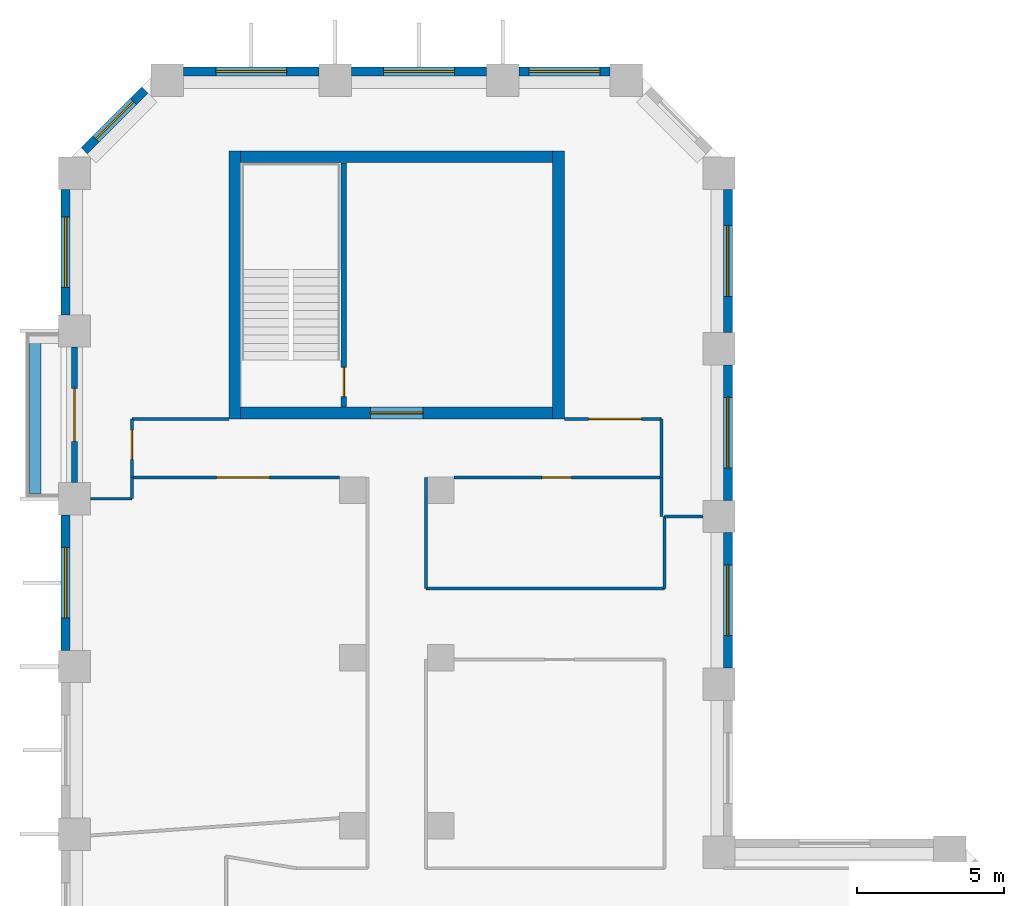
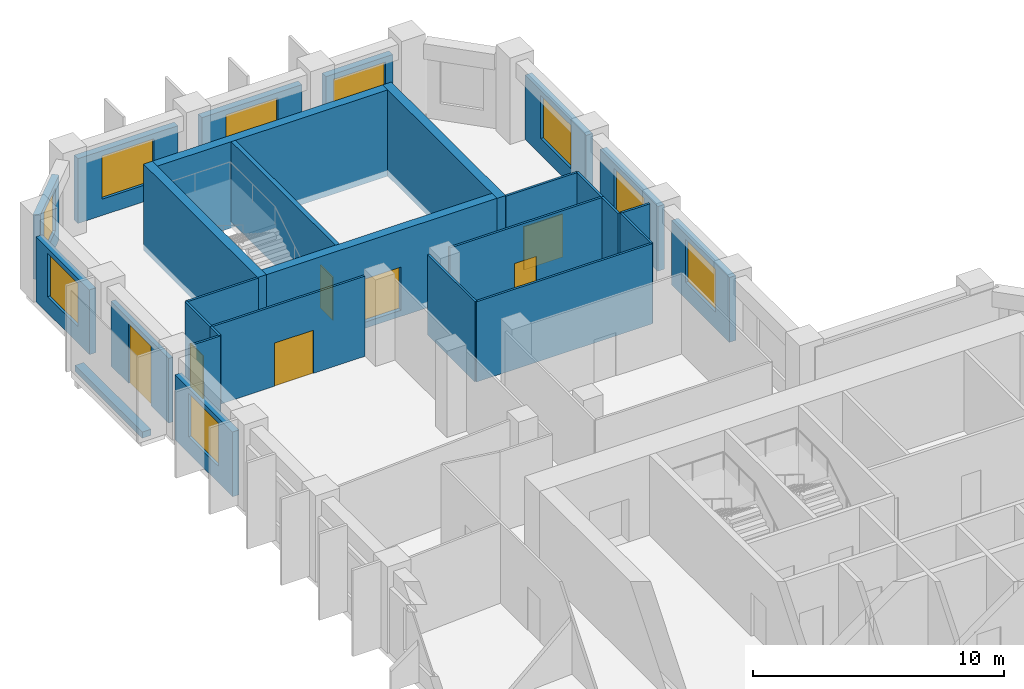
# One storey, part 8 of 10: 29 walls, 9 windows, 7 doors, 16 openings.
"""IFC4 building model written with IfcOpenShell, lengths in metres."""

from ifc_helpers import new_model, si_unit, direction, frame, frame_2d, origin, place, context, subcontext, project, spatial, rectangle, extrude, material, layer, layer_set, type_object, element, fill, save


model = new_model("IFC4")

# Units and contexts
model_context = context("Model", 3, precision=1e-05, world=origin(), true_north=direction((0.0, 1.0)))
body_context = subcontext(model_context, "Body", "Model", "MODEL_VIEW")
ifc_project = project(units=[si_unit("LENGTHUNIT", "METRE"), si_unit("AREAUNIT", "SQUARE_METRE"), si_unit("VOLUMEUNIT", "CUBIC_METRE"), si_unit("PLANEANGLEUNIT", "RADIAN"), si_unit("MASSUNIT", "GRAM", prefix="KILO")], contexts=[model_context])

# Site, building, storey
site_placement = place(None, origin())
site = spatial("IfcSite", under=ifc_project, at=site_placement, CompositionType="ELEMENT")
building_placement = place(site_placement, origin())
building = spatial("IfcBuilding", under=site, at=building_placement, Name="Meshkara Civic Tower", CompositionType="ELEMENT")
storey_placement = place(building_placement, frame((0.0, 0.0, 276.0)))
storey = spatial("IfcBuildingStorey", under=building, at=storey_placement, Name="L63", CompositionType="ELEMENT", Elevation=276.0)

# Wall, opening, door
ifc_material_1 = material(Name="Corridor wall 100")
ifc_layer_1 = layer(ifc_material_1, 0.10009765625)
ifc_layer_set_1 = layer_set([ifc_layer_1], Name="Corridor wall 100")
wall_type_1 = type_object("IfcWallType", Name="Corridor wall 100", PredefinedType="PARTITIONING", material=ifc_layer_set_1)
wall_1_placement = place(storey_placement, frame((2.39990234375, 52.169921875, 0.0), z_axis=(0.0, 0.0, 1.0), x_axis=(1.0, 0.0, 0.0)))
wall_1 = element("IfcWall", 1, at=wall_1_placement, inside=storey, type_object=wall_type_1, Name="L63-W001", PredefinedType="PARTITIONING", context=body_context, shape_type="SweptSolid", body=[
    extrude(rectangle(XDim=7.050048828125, YDim=0.10009765625, at=frame_2d((3.52490234375, 0.0))), origin(), (0.0, 0.0, 1.0), 3.89990234375),
])
opening_1_placement = place(wall_1_placement, frame((2.8798828125, 0.0, 0.0)))
opening_1 = element("IfcOpeningElement", 2, at=opening_1_placement, cuts=wall_1, Name="Opening L63-D018", PredefinedType="OPENING", context=body_context, shape_type="SweptSolid", body=[
    extrude(rectangle(XDim=1.800048828125, YDim=2.10009765625, at=frame_2d((0.89990234375, 1.050048828125))), frame((0.0, 0.06005859375, 0.0), z_axis=(0.0, -1.0, 0.0), x_axis=(1.0, 0.0, 0.0)), (0.0, 0.0, 1.0), 0.1201171875),
])
ifc_material_2 = material(Name="Door pair 1800 x 2100")
door_type_1 = type_object("IfcDoorType", Name="Door pair 1800 x 2100", OperationType="SINGLE_SWING_LEFT", PredefinedType="DOOR", material=ifc_material_2)
door_1_placement = place(opening_1_placement, origin())
door_1 = element("IfcDoor", 3, at=door_1_placement, inside=storey, type_object=door_type_1, Name="L63-D018", OperationType="DOUBLE_DOOR_SINGLE_SWING", OverallHeight=2.10009765625, OverallWidth=1.800048828125, PredefinedType="DOOR", context=body_context, shape_type="SweptSolid", body=[
    extrude(rectangle(XDim=1.800048828125, YDim=2.10009765625, at=frame_2d((0.89990234375, 1.050048828125))), frame((0.0, 0.02490234375, 0.0), z_axis=(0.0, -1.0, 0.0), x_axis=(1.0, 0.0, 0.0)), (0.0, 0.0, 1.0), 0.050048828125),
])
fill(opening_1, door_1)

wall_2_placement = place(storey_placement, frame((2.39990234375, 54.169921875, 0.0), z_axis=(0.0, 0.0, 1.0), x_axis=(0.0, -1.0, 0.0)))
wall_2 = element("IfcWall", 4, at=wall_2_placement, inside=storey, type_object=wall_type_1, Name="L63-W002", PredefinedType="PARTITIONING", context=body_context, shape_type="SweptSolid", body=[
    extrude(rectangle(XDim=2.0, YDim=0.10009765625, at=frame_2d((1.0, 0.0))), origin(), (0.0, 0.0, 1.0), 3.89990234375),
])
opening_2_placement = place(wall_2_placement, frame((0.3798828125, 0.0, 0.0)))
opening_2 = element("IfcOpeningElement", 5, at=opening_2_placement, cuts=wall_2, Name="Opening L63-D017", PredefinedType="OPENING", context=body_context, shape_type="SweptSolid", body=[
    extrude(rectangle(XDim=1.0, YDim=2.10009765625, at=frame_2d((0.5, 1.050048828125))), frame((0.0, 0.06005859375, 0.0), z_axis=(0.0, -1.0, 0.0), x_axis=(1.0, 0.0, 0.0)), (0.0, 0.0, 1.0), 0.1201171875),
])
ifc_material_3 = material(Name="Door 1000 x 2100")
door_type_2 = type_object("IfcDoorType", Name="Door 1000 x 2100", OperationType="SINGLE_SWING_LEFT", PredefinedType="DOOR", material=ifc_material_3)
door_2_placement = place(opening_2_placement, origin())
door_2 = element("IfcDoor", 6, at=door_2_placement, inside=storey, type_object=door_type_2, Name="L63-D017", OperationType="SINGLE_SWING_RIGHT", OverallHeight=2.10009765625, OverallWidth=1.0, PredefinedType="DOOR", context=body_context, shape_type="SweptSolid", body=[
    extrude(rectangle(XDim=1.0, YDim=2.10009765625, at=frame_2d((0.5, 1.050048828125))), frame((0.0, 0.02490234375, 0.0), z_axis=(0.0, -1.0, 0.0), x_axis=(1.0, 0.0, 0.0)), (0.0, 0.0, 1.0), 0.050048828125),
])
fill(opening_2, door_2)

# Walls
wall_3_placement = place(storey_placement, frame((5.699951171875, 54.169921875, 0.0), z_axis=(0.0, 0.0, 1.0), x_axis=(-1.0, 0.0, 0.0)))
element("IfcWall", 7, at=wall_3_placement, inside=storey, type_object=wall_type_1, Name="L63-W005", PredefinedType="PARTITIONING", context=body_context, shape_type="SweptSolid", body=[
    extrude(rectangle(XDim=3.300048828125, YDim=0.10009765625, at=frame_2d((1.64990234375, 0.0))), origin(), (0.0, 0.0, 1.0), 3.89990234375),
])
wall_4_placement = place(storey_placement, frame((12.39990234375, 48.39990234375, 0.0), z_axis=(0.0, 0.0, 1.0), x_axis=(0.0, 1.0, 0.0)))
element("IfcWall", 8, at=wall_4_placement, inside=storey, type_object=wall_type_1, Name="L63-W015", PredefinedType="PARTITIONING", context=body_context, shape_type="SweptSolid", body=[
    extrude(rectangle(XDim=3.77001953125, YDim=0.10009765625, at=frame_2d((1.885009765625, 0.0))), origin(), (0.0, 0.0, 1.0), 3.89990234375),
])

# Wall, opening, door
wall_5_placement = place(storey_placement, frame((13.35009765625, 52.169921875, 0.0), z_axis=(0.0, 0.0, 1.0), x_axis=(1.0, 0.0, 0.0)))
wall_5 = element("IfcWall", 9, at=wall_5_placement, inside=storey, type_object=wall_type_1, Name="L63-W018", PredefinedType="PARTITIONING", context=body_context, shape_type="SweptSolid", body=[
    extrude(rectangle(XDim=7.0498046875, YDim=0.10009765625, at=frame_2d((3.52490234375, 0.0))), origin(), (0.0, 0.0, 1.0), 3.89990234375),
])
opening_3_placement = place(wall_5_placement, frame((2.97998046875, 0.0, 0.0)))
opening_3 = element("IfcOpeningElement", 10, at=opening_3_placement, cuts=wall_5, Name="Opening L63-D019", PredefinedType="OPENING", context=body_context, shape_type="SweptSolid", body=[
    extrude(rectangle(XDim=1.0, YDim=2.10009765625, at=frame_2d((0.5, 1.050048828125))), frame((0.0, 0.06005859375, 0.0), z_axis=(0.0, -1.0, 0.0), x_axis=(1.0, 0.0, 0.0)), (0.0, 0.0, 1.0), 0.1201171875),
])
door_3_placement = place(opening_3_placement, origin())
door_3 = element("IfcDoor", 11, at=door_3_placement, inside=storey, type_object=door_type_2, Name="L63-D019", OperationType="SINGLE_SWING_RIGHT", OverallHeight=2.10009765625, OverallWidth=1.0, PredefinedType="DOOR", context=body_context, shape_type="SweptSolid", body=[
    extrude(rectangle(XDim=1.0, YDim=2.10009765625, at=frame_2d((0.5, 1.050048828125))), frame((0.0, 0.02490234375, 0.0), z_axis=(0.0, -1.0, 0.0), x_axis=(1.0, 0.0, 0.0)), (0.0, 0.0, 1.0), 0.050048828125),
])
fill(opening_3, door_3)

# Wall
wall_6_placement = place(storey_placement, frame((20.39990234375, 52.169921875, 0.0), z_axis=(0.0, 0.0, 1.0), x_axis=(0.0, 1.0, 0.0)))
element("IfcWall", 12, at=wall_6_placement, inside=storey, type_object=wall_type_1, Name="L63-W019", PredefinedType="PARTITIONING", context=body_context, shape_type="SweptSolid", body=[
    extrude(rectangle(XDim=2.0, YDim=0.10009765625, at=frame_2d((1.0, 0.0))), origin(), (0.0, 0.0, 1.0), 3.89990234375),
])

# Wall, opening, door
wall_7_placement = place(storey_placement, frame((20.39990234375, 54.169921875, 0.0), z_axis=(0.0, 0.0, 1.0), x_axis=(-1.0, 0.0, 0.0)))
wall_7 = element("IfcWall", 13, at=wall_7_placement, inside=storey, type_object=wall_type_1, Name="L63-W020", PredefinedType="PARTITIONING", context=body_context, shape_type="SweptSolid", body=[
    extrude(rectangle(XDim=3.2998046875, YDim=0.10009765625, at=frame_2d((1.64990234375, 0.0))), origin(), (0.0, 0.0, 1.0), 3.89990234375),
])
opening_4_placement = place(wall_7_placement, frame((0.679931640625, 0.0, 0.0)))
opening_4 = element("IfcOpeningElement", 14, at=opening_4_placement, cuts=wall_7, Name="Opening L63-D020", PredefinedType="OPENING", context=body_context, shape_type="SweptSolid", body=[
    extrude(rectangle(XDim=1.800048828125, YDim=2.10009765625, at=frame_2d((0.89990234375, 1.050048828125))), frame((0.0, 0.06005859375, 0.0), z_axis=(0.0, -1.0, 0.0), x_axis=(1.0, 0.0, 0.0)), (0.0, 0.0, 1.0), 0.1201171875),
])
door_4_placement = place(opening_4_placement, origin())
door_4 = element("IfcDoor", 15, at=door_4_placement, inside=storey, type_object=door_type_1, Name="L63-D020", OperationType="DOUBLE_DOOR_SINGLE_SWING", OverallHeight=2.10009765625, OverallWidth=1.800048828125, PredefinedType="DOOR", context=body_context, shape_type="SweptSolid", body=[
    extrude(rectangle(XDim=1.800048828125, YDim=2.10009765625, at=frame_2d((0.89990234375, 1.050048828125))), frame((0.0, 0.02490234375, 0.0), z_axis=(0.0, -1.0, 0.0), x_axis=(1.0, 0.0, 0.0)), (0.0, 0.0, 1.0), 0.050048828125),
])
fill(opening_4, door_4)

# Walls
wall_8_placement = place(storey_placement, frame((20.5, 48.39990234375, 0.0), z_axis=(0.0, 0.0, 1.0), x_axis=(-1.0, 0.0, 0.0)))
element("IfcWall", 16, at=wall_8_placement, inside=storey, type_object=wall_type_1, Name="L63-W023", PredefinedType="PARTITIONING", context=body_context, shape_type="SweptSolid", body=[
    extrude(rectangle(XDim=8.10009765625, YDim=0.10009765625, at=frame_2d((4.050048828125, 0.0))), origin(), (0.0, 0.0, 1.0), 3.89990234375),
])
wall_9_placement = place(storey_placement, frame((20.5, 50.85009765625, 0.0), z_axis=(0.0, 0.0, 1.0), x_axis=(0.0, -1.0, 0.0)))
element("IfcWall", 17, at=wall_9_placement, inside=storey, type_object=wall_type_1, Name="L63-W024", PredefinedType="PARTITIONING", context=body_context, shape_type="SweptSolid", body=[
    extrude(rectangle(XDim=2.4501953125, YDim=0.10009765625, at=frame_2d((1.22509765625, 0.0))), origin(), (0.0, 0.0, 1.0), 3.89990234375),
])
wall_10_placement = place(storey_placement, frame((21.800048828125, 50.85009765625, 0.0), z_axis=(0.0, 0.0, 1.0), x_axis=(-1.0, 0.0, 0.0)))
element("IfcWall", 18, at=wall_10_placement, inside=storey, type_object=wall_type_1, Name="L63-W025", PredefinedType="PARTITIONING", context=body_context, shape_type="SweptSolid", body=[
    extrude(rectangle(XDim=1.300048828125, YDim=0.10009765625, at=frame_2d((0.64990234375, 0.0))), origin(), (0.0, 0.0, 1.0), 3.89990234375),
])

# Wall, opening, window
ifc_material_4 = material(Name="Insulated infill panel with bronze anodised aluminium cladding", Category="aluminium")
ifc_layer_2 = layer(ifc_material_4, 0.300048828125)
ifc_layer_set_2 = layer_set([ifc_layer_2], Name="EXTERNAL INFILL WALL 300")
wall_type_2 = type_object("IfcWallType", Name="EXTERNAL INFILL WALL 300", PredefinedType="SOLIDWALL", material=ifc_layer_set_2)
wall_11_placement = place(storey_placement, frame((22.64990234375, 45.699951171875, 0.0), z_axis=(0.0, 0.0, 1.0), x_axis=(0.0, 1.0, 0.0)))
wall_11 = element("IfcWall", 19, at=wall_11_placement, inside=storey, type_object=wall_type_2, Name="External wall", PredefinedType="SOLIDWALL", context=body_context, shape_type="SweptSolid", body=[
    extrude(rectangle(XDim=4.60009765625, YDim=0.300048828125, at=frame_2d((2.300048828125, 0.0))), origin(), (0.0, 0.0, 1.0), 3.14990234375),
])
opening_5_placement = place(wall_11_placement, frame((1.10009765625, 0.0, 0.800048828125)))
opening_5 = element("IfcOpeningElement", 20, at=opening_5_placement, cuts=wall_11, Name="Opening W7", PredefinedType="OPENING", context=body_context, shape_type="SweptSolid", body=[
    extrude(rectangle(XDim=2.39990234375, YDim=2.10009765625, at=frame_2d((1.199951171875, 1.050048828125))), frame((0.0, 0.159912109375, 0.0), z_axis=(0.0, -1.0, 0.0), x_axis=(1.0, 0.0, 0.0)), (0.0, 0.0, 1.0), 0.320068359375),
])
ifc_material_5 = material(Name="Tinted double glazing", Category="glass")
window_type_1 = type_object("IfcWindowType", Name="WINDOW 2400x2100", PartitioningType="DOUBLE_PANEL_VERTICAL", PredefinedType="WINDOW", material=ifc_material_5)
window_1_placement = place(opening_5_placement, origin())
window_1 = element("IfcWindow", 21, at=window_1_placement, inside=storey, type_object=window_type_1, Name="Window", OverallHeight=2.10009765625, OverallWidth=2.39990234375, PartitioningType="DOUBLE_PANEL_VERTICAL", PredefinedType="WINDOW", context=body_context, shape_type="SweptSolid", body=[
    extrude(rectangle(XDim=2.39990234375, YDim=2.10009765625, at=frame_2d((1.199951171875, 1.050048828125))), frame((0.0, 0.030029296875, 0.0), z_axis=(0.0, -1.0, 0.0), x_axis=(1.0, 0.0, 0.0)), (0.0, 0.0, 1.0), 0.06005859375),
])
fill(opening_5, window_1)

wall_12_placement = place(storey_placement, frame((22.64990234375, 51.39990234375, 0.0), z_axis=(0.0, 0.0, 1.0), x_axis=(0.0, 1.0, 0.0)))
wall_12 = element("IfcWall", 22, at=wall_12_placement, inside=storey, type_object=wall_type_2, Name="External wall", PredefinedType="SOLIDWALL", context=body_context, shape_type="SweptSolid", body=[
    extrude(rectangle(XDim=4.60009765625, YDim=0.300048828125, at=frame_2d((2.300048828125, 0.0))), origin(), (0.0, 0.0, 1.0), 3.14990234375),
])
opening_6_placement = place(wall_12_placement, frame((1.10009765625, 0.0, 0.800048828125)))
opening_6 = element("IfcOpeningElement", 23, at=opening_6_placement, cuts=wall_12, Name="Opening W7", PredefinedType="OPENING", context=body_context, shape_type="SweptSolid", body=[
    extrude(rectangle(XDim=2.39990234375, YDim=2.10009765625, at=frame_2d((1.199951171875, 1.050048828125))), frame((0.0, 0.159912109375, 0.0), z_axis=(0.0, -1.0, 0.0), x_axis=(1.0, 0.0, 0.0)), (0.0, 0.0, 1.0), 0.320068359375),
])
window_2_placement = place(opening_6_placement, origin())
window_2 = element("IfcWindow", 24, at=window_2_placement, inside=storey, type_object=window_type_1, Name="Window", OverallHeight=2.10009765625, OverallWidth=2.39990234375, PartitioningType="DOUBLE_PANEL_VERTICAL", PredefinedType="WINDOW", context=body_context, shape_type="SweptSolid", body=[
    extrude(rectangle(XDim=2.39990234375, YDim=2.10009765625, at=frame_2d((1.199951171875, 1.050048828125))), frame((0.0, 0.030029296875, 0.0), z_axis=(0.0, -1.0, 0.0), x_axis=(1.0, 0.0, 0.0)), (0.0, 0.0, 1.0), 0.06005859375),
])
fill(opening_6, window_2)

wall_13_placement = place(storey_placement, frame((22.64990234375, 57.10009765625, 0.0), z_axis=(0.0, 0.0, 1.0), x_axis=(0.0, 1.0, 0.0)))
wall_13 = element("IfcWall", 25, at=wall_13_placement, inside=storey, type_object=wall_type_2, Name="External wall", PredefinedType="SOLIDWALL", context=body_context, shape_type="SweptSolid", body=[
    extrude(rectangle(XDim=4.864013671875, YDim=0.300048828125, at=frame_2d((2.43212890625, 0.0))), origin(), (0.0, 0.0, 1.0), 3.14990234375),
])
opening_7_placement = place(wall_13_placement, frame((1.23193359375, 0.0, 0.800048828125)))
opening_7 = element("IfcOpeningElement", 26, at=opening_7_placement, cuts=wall_13, Name="Opening W7", PredefinedType="OPENING", context=body_context, shape_type="SweptSolid", body=[
    extrude(rectangle(XDim=2.39990234375, YDim=2.10009765625, at=frame_2d((1.199951171875, 1.050048828125))), frame((0.0, 0.159912109375, 0.0), z_axis=(0.0, -1.0, 0.0), x_axis=(1.0, 0.0, 0.0)), (0.0, 0.0, 1.0), 0.320068359375),
])
window_3_placement = place(opening_7_placement, origin())
window_3 = element("IfcWindow", 27, at=window_3_placement, inside=storey, type_object=window_type_1, Name="Window", OverallHeight=2.10009765625, OverallWidth=2.39990234375, PartitioningType="DOUBLE_PANEL_VERTICAL", PredefinedType="WINDOW", context=body_context, shape_type="SweptSolid", body=[
    extrude(rectangle(XDim=2.39990234375, YDim=2.10009765625, at=frame_2d((1.199951171875, 1.050048828125))), frame((0.0, 0.030029296875, 0.0), z_axis=(0.0, -1.0, 0.0), x_axis=(1.0, 0.0, 0.0)), (0.0, 0.0, 1.0), 0.06005859375),
])
fill(opening_7, window_3)

wall_14_placement = place(storey_placement, frame((18.64404296875, 65.969970703125, 0.0), z_axis=(0.0, 0.0, 1.0), x_axis=(-1.0, 0.0, 0.0)))
wall_14 = element("IfcWall", 28, at=wall_14_placement, inside=storey, type_object=wall_type_2, Name="External wall", PredefinedType="SOLIDWALL", context=body_context, shape_type="SweptSolid", body=[
    extrude(rectangle(XDim=3.088134765625, YDim=0.300048828125, at=frame_2d((1.5439453125, 0.0))), origin(), (0.0, 0.0, 1.0), 3.14990234375),
])
opening_8_placement = place(wall_14_placement, frame((0.343994140625, 0.0, 0.800048828125)))
opening_8 = element("IfcOpeningElement", 29, at=opening_8_placement, cuts=wall_14, Name="Opening W7", PredefinedType="OPENING", context=body_context, shape_type="SweptSolid", body=[
    extrude(rectangle(XDim=2.39990234375, YDim=2.10009765625, at=frame_2d((1.199951171875, 1.050048828125))), frame((0.0, 0.159912109375, 0.0), z_axis=(0.0, -1.0, 0.0), x_axis=(1.0, 0.0, 0.0)), (0.0, 0.0, 1.0), 0.320068359375),
])
window_4_placement = place(opening_8_placement, origin())
window_4 = element("IfcWindow", 30, at=window_4_placement, inside=storey, type_object=window_type_1, Name="Window", OverallHeight=2.10009765625, OverallWidth=2.39990234375, PartitioningType="DOUBLE_PANEL_VERTICAL", PredefinedType="WINDOW", context=body_context, shape_type="SweptSolid", body=[
    extrude(rectangle(XDim=2.39990234375, YDim=2.10009765625, at=frame_2d((1.199951171875, 1.050048828125))), frame((0.0, 0.030029296875, 0.0), z_axis=(0.0, -1.0, 0.0), x_axis=(1.0, 0.0, 0.0)), (0.0, 0.0, 1.0), 0.06005859375),
])
fill(opening_8, window_4)

wall_15_placement = place(storey_placement, frame((14.4560546875, 65.969970703125, 0.0), z_axis=(0.0, 0.0, 1.0), x_axis=(-1.0, 0.0, 0.0)))
wall_15 = element("IfcWall", 31, at=wall_15_placement, inside=storey, type_object=wall_type_2, Name="External wall", PredefinedType="SOLIDWALL", context=body_context, shape_type="SweptSolid", body=[
    extrude(rectangle(XDim=4.60009765625, YDim=0.300048828125, at=frame_2d((2.300048828125, 0.0))), origin(), (0.0, 0.0, 1.0), 3.14990234375),
])
opening_9_placement = place(wall_15_placement, frame((1.10009765625, 0.0, 0.800048828125)))
opening_9 = element("IfcOpeningElement", 32, at=opening_9_placement, cuts=wall_15, Name="Opening W7", PredefinedType="OPENING", context=body_context, shape_type="SweptSolid", body=[
    extrude(rectangle(XDim=2.39990234375, YDim=2.10009765625, at=frame_2d((1.199951171875, 1.050048828125))), frame((0.0, 0.159912109375, 0.0), z_axis=(0.0, -1.0, 0.0), x_axis=(1.0, 0.0, 0.0)), (0.0, 0.0, 1.0), 0.320068359375),
])
window_5_placement = place(opening_9_placement, origin())
window_5 = element("IfcWindow", 33, at=window_5_placement, inside=storey, type_object=window_type_1, Name="Window", OverallHeight=2.10009765625, OverallWidth=2.39990234375, PartitioningType="DOUBLE_PANEL_VERTICAL", PredefinedType="WINDOW", context=body_context, shape_type="SweptSolid", body=[
    extrude(rectangle(XDim=2.39990234375, YDim=2.10009765625, at=frame_2d((1.199951171875, 1.050048828125))), frame((0.0, 0.030029296875, 0.0), z_axis=(0.0, -1.0, 0.0), x_axis=(1.0, 0.0, 0.0)), (0.0, 0.0, 1.0), 0.06005859375),
])
fill(opening_9, window_5)

wall_16_placement = place(storey_placement, frame((8.756103515625, 65.969970703125, 0.0), z_axis=(0.0, 0.0, 1.0), x_axis=(-1.0, 0.0, 0.0)))
wall_16 = element("IfcWall", 34, at=wall_16_placement, inside=storey, type_object=wall_type_2, Name="External wall", PredefinedType="SOLIDWALL", context=body_context, shape_type="SweptSolid", body=[
    extrude(rectangle(XDim=4.60009765625, YDim=0.300048828125, at=frame_2d((2.300048828125, 0.0))), origin(), (0.0, 0.0, 1.0), 3.14990234375),
])
opening_10_placement = place(wall_16_placement, frame((1.10009765625, 0.0, 0.800048828125)))
opening_10 = element("IfcOpeningElement", 35, at=opening_10_placement, cuts=wall_16, Name="Opening W7", PredefinedType="OPENING", context=body_context, shape_type="SweptSolid", body=[
    extrude(rectangle(XDim=2.39990234375, YDim=2.10009765625, at=frame_2d((1.199951171875, 1.050048828125))), frame((0.0, 0.159912109375, 0.0), z_axis=(0.0, -1.0, 0.0), x_axis=(1.0, 0.0, 0.0)), (0.0, 0.0, 1.0), 0.320068359375),
])
window_6_placement = place(opening_10_placement, origin())
window_6 = element("IfcWindow", 36, at=window_6_placement, inside=storey, type_object=window_type_1, Name="Window", OverallHeight=2.10009765625, OverallWidth=2.39990234375, PartitioningType="DOUBLE_PANEL_VERTICAL", PredefinedType="WINDOW", context=body_context, shape_type="SweptSolid", body=[
    extrude(rectangle(XDim=2.39990234375, YDim=2.10009765625, at=frame_2d((1.199951171875, 1.050048828125))), frame((0.0, 0.030029296875, 0.0), z_axis=(0.0, -1.0, 0.0), x_axis=(1.0, 0.0, 0.0)), (0.0, 0.0, 1.0), 0.06005859375),
])
fill(opening_10, window_6)

wall_17_placement = place(storey_placement, frame((2.843994140625, 65.33203125, 0.0), z_axis=(0.0, 0.0, 1.0), x_axis=(-0.707064797706, -0.707148762175, 0.0)))
wall_17 = element("IfcWall", 37, at=wall_17_placement, inside=storey, type_object=wall_type_2, Name="External wall", PredefinedType="SOLIDWALL", context=body_context, shape_type="SweptSolid", body=[
    extrude(rectangle(XDim=2.90771484375, YDim=0.300048828125, at=frame_2d((1.453857421875, 0.0))), origin(), (0.0, 0.0, 1.0), 3.14990234375),
])
opening_11_placement = place(wall_17_placement, frame((0.553955078125, 0.0, 0.800048828125)))
opening_11 = element("IfcOpeningElement", 38, at=opening_11_placement, cuts=wall_17, Name="Opening W9", PredefinedType="OPENING", context=body_context, shape_type="SweptSolid", body=[
    extrude(rectangle(XDim=1.800048828125, YDim=2.10009765625, at=frame_2d((0.89990234375, 1.050048828125))), frame((0.0, 0.159912109375, 0.0), z_axis=(0.0, -1.0, 0.0), x_axis=(1.0, 0.0, 0.0)), (0.0, 0.0, 1.0), 0.320068359375),
])
ifc_material_6 = material(Name="Tinted double glazing", Category="glass")
window_type_2 = type_object("IfcWindowType", Name="WINDOW 1800x2100", PartitioningType="DOUBLE_PANEL_VERTICAL", PredefinedType="WINDOW", material=ifc_material_6)
window_7_placement = place(opening_11_placement, origin())
window_7 = element("IfcWindow", 39, at=window_7_placement, inside=storey, type_object=window_type_2, Name="Window", OverallHeight=2.10009765625, OverallWidth=1.800048828125, PartitioningType="DOUBLE_PANEL_VERTICAL", PredefinedType="WINDOW", context=body_context, shape_type="SweptSolid", body=[
    extrude(rectangle(XDim=1.800048828125, YDim=2.10009765625, at=frame_2d((0.89990234375, 1.050048828125))), frame((0.0, 0.030029296875, 0.0), z_axis=(0.0, -1.0, 0.0), x_axis=(1.0, 0.0, 0.0)), (0.0, 0.0, 1.0), 0.06005859375),
])
fill(opening_11, window_7)

wall_18_placement = place(storey_placement, frame((0.14990234375, 61.964111328125, 0.0), z_axis=(0.0, 0.0, 1.0), x_axis=(0.0, -1.0, 0.0)))
wall_18 = element("IfcWall", 40, at=wall_18_placement, inside=storey, type_object=wall_type_2, Name="External wall", PredefinedType="SOLIDWALL", context=body_context, shape_type="SweptSolid", body=[
    extrude(rectangle(XDim=4.259033203125, YDim=0.300048828125, at=frame_2d((2.12939453125, 0.0))), origin(), (0.0, 0.0, 1.0), 3.14990234375),
])
opening_12_placement = place(wall_18_placement, frame((0.929931640625, 0.0, 0.800048828125)))
opening_12 = element("IfcOpeningElement", 41, at=opening_12_placement, cuts=wall_18, Name="Opening W7", PredefinedType="OPENING", context=body_context, shape_type="SweptSolid", body=[
    extrude(rectangle(XDim=2.39990234375, YDim=2.10009765625, at=frame_2d((1.199951171875, 1.050048828125))), frame((0.0, 0.159912109375, 0.0), z_axis=(0.0, -1.0, 0.0), x_axis=(1.0, 0.0, 0.0)), (0.0, 0.0, 1.0), 0.320068359375),
])
window_8_placement = place(opening_12_placement, origin())
window_8 = element("IfcWindow", 42, at=window_8_placement, inside=storey, type_object=window_type_1, Name="Window", OverallHeight=2.10009765625, OverallWidth=2.39990234375, PartitioningType="DOUBLE_PANEL_VERTICAL", PredefinedType="WINDOW", context=body_context, shape_type="SweptSolid", body=[
    extrude(rectangle(XDim=2.39990234375, YDim=2.10009765625, at=frame_2d((1.199951171875, 1.050048828125))), frame((0.0, 0.030029296875, 0.0), z_axis=(0.0, -1.0, 0.0), x_axis=(1.0, 0.0, 0.0)), (0.0, 0.0, 1.0), 0.06005859375),
])
fill(opening_12, window_8)

wall_19_placement = place(storey_placement, frame((0.14990234375, 50.905029296875, 0.0), z_axis=(0.0, 0.0, 1.0), x_axis=(0.0, -1.0, 0.0)))
wall_19 = element("IfcWall", 43, at=wall_19_placement, inside=storey, type_object=wall_type_2, Name="External wall", PredefinedType="SOLIDWALL", context=body_context, shape_type="SweptSolid", body=[
    extrude(rectangle(XDim=4.60009765625, YDim=0.300048828125, at=frame_2d((2.300048828125, 0.0))), origin(), (0.0, 0.0, 1.0), 3.14990234375),
])
opening_13_placement = place(wall_19_placement, frame((1.10009765625, 0.0, 0.800048828125)))
opening_13 = element("IfcOpeningElement", 44, at=opening_13_placement, cuts=wall_19, Name="Opening W7", PredefinedType="OPENING", context=body_context, shape_type="SweptSolid", body=[
    extrude(rectangle(XDim=2.39990234375, YDim=2.10009765625, at=frame_2d((1.199951171875, 1.050048828125))), frame((0.0, 0.159912109375, 0.0), z_axis=(0.0, -1.0, 0.0), x_axis=(1.0, 0.0, 0.0)), (0.0, 0.0, 1.0), 0.320068359375),
])
window_9_placement = place(opening_13_placement, origin())
window_9 = element("IfcWindow", 45, at=window_9_placement, inside=storey, type_object=window_type_1, Name="Window", OverallHeight=2.10009765625, OverallWidth=2.39990234375, PartitioningType="DOUBLE_PANEL_VERTICAL", PredefinedType="WINDOW", context=body_context, shape_type="SweptSolid", body=[
    extrude(rectangle(XDim=2.39990234375, YDim=2.10009765625, at=frame_2d((1.199951171875, 1.050048828125))), frame((0.0, 0.030029296875, 0.0), z_axis=(0.0, -1.0, 0.0), x_axis=(1.0, 0.0, 0.0)), (0.0, 0.0, 1.0), 0.06005859375),
])
fill(opening_13, window_9)

# Walls
ifc_material_7 = material(Name="Concrete C60", Category="concrete")
ifc_layer_3 = layer(ifc_material_7, 0.39990234375)
ifc_layer_set_3 = layer_set([ifc_layer_3], Name="End core ring wall 400 C60")
wall_type_3 = type_object("IfcWallType", Name="End core ring wall 400 C60", PredefinedType="SHEAR", material=ifc_layer_set_3)
for number, where, z_axis, x_axis, name in (
    (46, (5.89990234375, 54.169921875, -0.300048828125), (0.0, 0.0, 1.0), (0.0, 1.0, 0.0), "L63-C022"),
    (47, (16.89990234375, 54.169921875, -0.300048828125), (0.0, 0.0, 1.0), (0.0, 1.0, 0.0), "L63-C023"),
):
    element("IfcWall", number, at=place(storey_placement, frame(where, z_axis=z_axis, x_axis=x_axis)), inside=storey, type_object=wall_type_3, Name=name, PredefinedType="SHEAR", context=body_context, shape_type="SweptSolid", body=[
        extrude(rectangle(XDim=9.10009765625, YDim=0.39990234375, at=frame_2d((4.550048828125, 0.0))), origin(), (0.0, 0.0, 1.0), 4.199951171875),
    ])

# Wall, opening, door
wall_20_placement = place(storey_placement, frame((6.10009765625, 54.3701171875, -0.300048828125), z_axis=(0.0, 0.0, 1.0), x_axis=(1.0, 0.0, 0.0)))
wall_20 = element("IfcWall", 48, at=wall_20_placement, inside=storey, type_object=wall_type_3, Name="L63-C024", PredefinedType="SHEAR", context=body_context, shape_type="SweptSolid", body=[
    extrude(rectangle(XDim=10.599853515625, YDim=0.39990234375, at=frame_2d((5.2998046875, 0.0))), origin(), (0.0, 0.0, 1.0), 4.199951171875),
])
opening_14_placement = place(wall_20_placement, frame((4.39990234375, 0.0, 0.300048828125)))
opening_14 = element("IfcOpeningElement", 49, at=opening_14_placement, cuts=wall_20, Name="Opening L63-K102", PredefinedType="OPENING", context=body_context, shape_type="SweptSolid", body=[
    extrude(rectangle(XDim=1.800048828125, YDim=2.10009765625, at=frame_2d((0.89990234375, 1.050048828125))), frame((0.0, 0.2099609375, 0.0), z_axis=(0.0, -1.0, 0.0), x_axis=(1.0, 0.0, 0.0)), (0.0, 0.0, 1.0), 0.419921875),
])
ifc_material_8 = material(Name="Fire-rated door leaf in steel frame", Category="steel")
door_type_3 = type_object("IfcDoorType", Name="Core double door 1800 EI 60", OperationType="DOUBLE_DOOR_SINGLE_SWING", PredefinedType="DOOR", material=ifc_material_8)
door_5_placement = place(opening_14_placement, origin())
door_5 = element("IfcDoor", 50, at=door_5_placement, inside=storey, type_object=door_type_3, Name="L63-K102", OperationType="DOUBLE_DOOR_SINGLE_SWING", OverallHeight=2.10009765625, OverallWidth=1.800048828125, PredefinedType="DOOR", context=body_context, shape_type="SweptSolid", body=[
    extrude(rectangle(XDim=1.800048828125, YDim=2.10009765625, at=frame_2d((0.89990234375, 1.050048828125))), frame((0.0, 0.02490234375, 0.0), z_axis=(0.0, -1.0, 0.0), x_axis=(1.0, 0.0, 0.0)), (0.0, 0.0, 1.0), 0.050048828125),
])
fill(opening_14, door_5)

# Wall
wall_21_placement = place(storey_placement, frame((6.10009765625, 63.070068359375, -0.300048828125), z_axis=(0.0, 0.0, 1.0), x_axis=(1.0, 0.0, 0.0)))
element("IfcWall", 51, at=wall_21_placement, inside=storey, type_object=wall_type_3, Name="L63-C025", PredefinedType="SHEAR", context=body_context, shape_type="SweptSolid", body=[
    extrude(rectangle(XDim=10.599853515625, YDim=0.39990234375, at=frame_2d((5.2998046875, 0.0))), origin(), (0.0, 0.0, 1.0), 4.199951171875),
])

# Wall, opening, door
ifc_material_9 = material(Name="Insulated infill panel with bronze anodised aluminium cladding", Category="aluminium")
ifc_layer_4 = layer(ifc_material_9, 0.199951171875)
ifc_layer_set_4 = layer_set([ifc_layer_4], Name="LOGGIA BACK WALL 200")
wall_type_4 = type_object("IfcWallType", Name="LOGGIA BACK WALL 200", PredefinedType="SOLIDWALL", material=ifc_layer_set_4)
wall_22_placement = place(storey_placement, frame((0.449951171875, 56.60498046875, 0.0), z_axis=(0.0, 0.0, 1.0), x_axis=(0.0, -1.0, 0.0)))
wall_22 = element("IfcWall", 52, at=wall_22_placement, inside=storey, type_object=wall_type_4, Name="Loggia wall", PredefinedType="SOLIDWALL", context=body_context, shape_type="SweptSolid", body=[
    extrude(rectangle(XDim=4.60009765625, YDim=0.199951171875, at=frame_2d((2.300048828125, 0.0))), origin(), (0.0, 0.0, 1.0), 3.14990234375),
])
opening_15_placement = place(wall_22_placement, frame((1.39990234375, 0.0, 0.0)))
opening_15 = element("IfcOpeningElement", 53, at=opening_15_placement, cuts=wall_22, Name="Opening L63-L001", PredefinedType="OPENING", context=body_context, shape_type="SweptSolid", body=[
    extrude(rectangle(XDim=1.800048828125, YDim=2.89990234375, at=frame_2d((0.89990234375, 1.449951171875))), frame((0.0, 0.10986328125, 0.0), z_axis=(0.0, -1.0, 0.0), x_axis=(1.0, 0.0, 0.0)), (0.0, 0.0, 1.0), 0.219970703125),
])
ifc_material_10 = material(Name="Tinted double glazing", Category="glass")
door_type_4 = type_object("IfcDoorType", Name="LOGGIA DOOR 1800x2900", OperationType="DOUBLE_DOOR_SINGLE_SWING", PredefinedType="DOOR", material=ifc_material_10)
door_6_placement = place(opening_15_placement, origin())
door_6 = element("IfcDoor", 54, at=door_6_placement, inside=storey, type_object=door_type_4, Name="L63-L001", OperationType="DOUBLE_DOOR_SINGLE_SWING", OverallHeight=2.89990234375, OverallWidth=1.800048828125, PredefinedType="DOOR", context=body_context, shape_type="SweptSolid", body=[
    extrude(rectangle(XDim=1.800048828125, YDim=2.89990234375, at=frame_2d((0.89990234375, 1.449951171875))), frame((0.0, 0.02490234375, 0.0), z_axis=(0.0, -1.0, 0.0), x_axis=(1.0, 0.0, 0.0)), (0.0, 0.0, 1.0), 0.050048828125),
])
fill(opening_15, door_6)

# Walls
ifc_material_11 = material(Name="Concrete C40", Category="concrete")
ifc_layer_5 = layer(ifc_material_11, 0.39990234375)
ifc_layer_set_5 = layer_set([ifc_layer_5], Name="PLANTER TRAY")
wall_type_5 = type_object("IfcWallType", Name="PLANTER TRAY", PredefinedType="SOLIDWALL", material=ifc_layer_set_5)
wall_23_placement = place(storey_placement, frame((-0.8798828125, 56.985107421875, 0.0), z_axis=(0.0, 0.0, 1.0), x_axis=(0.0, -1.0, 0.0)))
element("IfcWall", 55, at=wall_23_placement, inside=storey, type_object=wall_type_5, Name="Planter", PredefinedType="SOLIDWALL", context=body_context, shape_type="SweptSolid", body=[
    extrude(rectangle(XDim=5.360107421875, YDim=0.39990234375, at=frame_2d((2.68017578125, 0.0))), origin(), (0.0, 0.0, 1.0), 0.300048828125),
])
ifc_material_12 = material(Name="Partition 100")
ifc_layer_6 = layer(ifc_material_12, 0.10009765625)
ifc_layer_set_6 = layer_set([ifc_layer_6], Name="Partition 100")
wall_type_6 = type_object("IfcWallType", Name="Partition 100", PredefinedType="PARTITIONING", material=ifc_layer_set_6)
wall_24_placement = place(storey_placement, frame((2.39990234375, 51.455078125, 0.0), z_axis=(0.0, 0.0, 1.0), x_axis=(-1.0, 0.0, 0.0)))
element("IfcWall", 56, at=wall_24_placement, inside=storey, type_object=wall_type_6, Name="L63-W041", PredefinedType="PARTITIONING", context=body_context, shape_type="SweptSolid", body=[
    extrude(rectangle(XDim=1.39990234375, YDim=0.10009765625, at=frame_2d((0.699951171875, 0.0))), origin(), (0.0, 0.0, 1.0), 3.89990234375),
])
wall_25_placement = place(storey_placement, frame((2.39990234375, 52.174072265625, 0.0), z_axis=(0.0, 0.0, 1.0), x_axis=(0.0, -1.0, 0.0)))
element("IfcWall", 57, at=wall_25_placement, inside=storey, type_object=wall_type_6, Name="L63-W042", PredefinedType="PARTITIONING", context=body_context, shape_type="SweptSolid", body=[
    extrude(rectangle(XDim=0.718994140625, YDim=0.10009765625, at=frame_2d((0.359375, 0.0))), origin(), (0.0, 0.0, 1.0), 3.89990234375),
])
wall_26_placement = place(storey_placement, frame((20.39990234375, 50.85009765625, 0.0), z_axis=(0.0, 0.0, 1.0), x_axis=(0.0, 1.0, 0.0)))
element("IfcWall", 58, at=wall_26_placement, inside=storey, type_object=wall_type_6, Name="L63-W051", PredefinedType="PARTITIONING", context=body_context, shape_type="SweptSolid", body=[
    extrude(rectangle(XDim=1.323974609375, YDim=0.10009765625, at=frame_2d((0.662109375, 0.0))), origin(), (0.0, 0.0, 1.0), 3.89990234375),
])

# Wall, opening, door
ifc_material_13 = material(Name="Concrete C40/50", Category="concrete")
ifc_layer_7 = layer(ifc_material_13, 0.199951171875)
ifc_layer_set_7 = layer_set([ifc_layer_7], Name="Stair enclosure wall 200 C40/50")
wall_type_7 = type_object("IfcWallType", Name="Stair enclosure wall 200 C40/50", PredefinedType="SOLIDWALL", material=ifc_layer_set_7)
wall_27_placement = place(storey_placement, frame((9.60009765625, 54.570068359375, 0.0), z_axis=(0.0, 0.0, 1.0), x_axis=(0.0, 1.0, 0.0)))
wall_27 = element("IfcWall", 59, at=wall_27_placement, inside=storey, type_object=wall_type_7, Name="L63-C026", PredefinedType="SOLIDWALL", context=body_context, shape_type="SweptSolid", body=[
    extrude(rectangle(XDim=8.300048828125, YDim=0.199951171875, at=frame_2d((4.14990234375, 0.0))), origin(), (0.0, 0.0, 1.0), 3.89990234375),
])
opening_16_placement = place(wall_27_placement, frame((0.35009765625, 0.0, 0.0)))
opening_16 = element("IfcOpeningElement", 60, at=opening_16_placement, cuts=wall_27, Name="Opening L63-K101", PredefinedType="OPENING", context=body_context, shape_type="SweptSolid", body=[
    extrude(rectangle(XDim=1.0, YDim=2.10009765625, at=frame_2d((0.5, 1.050048828125))), frame((0.0, 0.10986328125, 0.0), z_axis=(0.0, -1.0, 0.0), x_axis=(1.0, 0.0, 0.0)), (0.0, 0.0, 1.0), 0.219970703125),
])
ifc_material_14 = material(Name="Fire-rated door leaf in steel frame", Category="steel")
door_type_5 = type_object("IfcDoorType", Name="Stair door 1000 EI 120", OperationType="SINGLE_SWING_LEFT", PredefinedType="DOOR", material=ifc_material_14)
door_7_placement = place(opening_16_placement, origin())
door_7 = element("IfcDoor", 61, at=door_7_placement, inside=storey, type_object=door_type_5, Name="L63-K101", OperationType="SINGLE_SWING_RIGHT", OverallHeight=2.10009765625, OverallWidth=1.0, PredefinedType="DOOR", context=body_context, shape_type="SweptSolid", body=[
    extrude(rectangle(XDim=1.0, YDim=2.10009765625, at=frame_2d((0.5, 1.050048828125))), frame((0.0, 0.02490234375, 0.0), z_axis=(0.0, -1.0, 0.0), x_axis=(1.0, 0.0, 0.0)), (0.0, 0.0, 1.0), 0.050048828125),
])
fill(opening_16, door_7)

save(model, "model.ifc")
